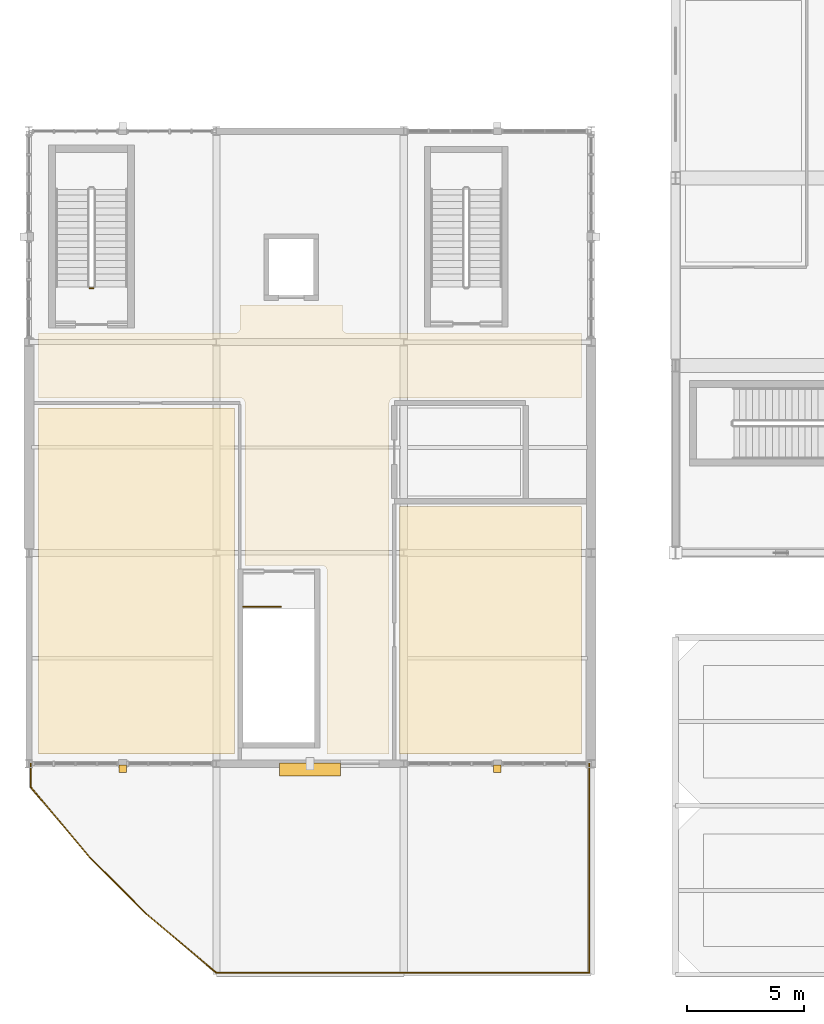
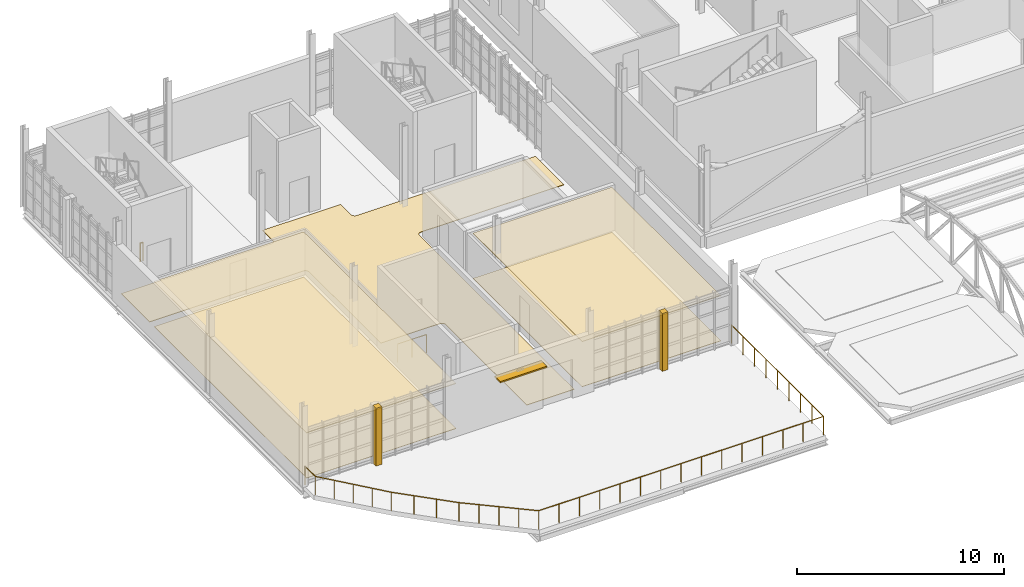
# One storey, part 120 of 128: 7 coverings, 3 railings, 1 shading device.
"""IFC4 building model written with IfcOpenShell, lengths in metres."""

from ifc_helpers import new_model, si_unit, direction, frame, origin, origin_2d, place, context, subcontext, project, spatial, polyline, rectangle, circle, outline, extrude, material, layer, layer_set, type_object, element, save


model = new_model("IFC4")

# Units and contexts
model_context = context("Model", 3, precision=1e-05, world=origin(), true_north=direction((0.0, 1.0)))
body_context = subcontext(model_context, "Body", "Model", "MODEL_VIEW")
ifc_project = project(units=[si_unit("LENGTHUNIT", "METRE"), si_unit("AREAUNIT", "SQUARE_METRE"), si_unit("VOLUMEUNIT", "CUBIC_METRE"), si_unit("PLANEANGLEUNIT", "RADIAN"), si_unit("MASSUNIT", "GRAM", prefix="KILO")], contexts=[model_context])

# Site, building, storey
site_placement = place(None, origin())
site = spatial("IfcSite", under=ifc_project, at=site_placement, CompositionType="ELEMENT")
building_placement = place(site_placement, origin())
building = spatial("IfcBuilding", under=site, at=building_placement, Name="Serraforn Aerial Cableway Station", CompositionType="ELEMENT")
storey_placement = place(building_placement, frame((0.0, 0.0, 9.0)))
storey = spatial("IfcBuildingStorey", under=building, at=storey_placement, Name="L02", CompositionType="ELEMENT", Elevation=9.0)

# Coverings
ifc_material_1 = material(Name="Fluted patinated bronze Art Deco pilaster cladding")
ifc_layer_1 = layer(ifc_material_1, 0.034912109375)
ifc_layer_set_1 = layer_set([ifc_layer_1], Name="Fluted patinated bronze Art Deco pilaster cladding")
covering_type_1 = type_object("IfcCoveringType", Name="COV-CLAD-BRZ", PredefinedType="CLADDING", material=ifc_layer_set_1)
covering_1_placement = place(storey_placement, origin())
element("IfcCovering", 1, at=covering_1_placement, inside=storey, type_object=covering_type_1, Name="Art Deco Bronze Pilaster Cladding W-L02-S1", PredefinedType="CLADDING", context=body_context, shape_type="SweptSolid", body=[
    extrude(outline(polyline([(3.840087890625, 8.6201171875), (4.159912109375, 8.6201171875), (4.159912109375, 8.93994140625), (3.840087890625, 8.93994140625), (3.840087890625, 8.6201171875)])), origin(), (0.0, 0.0, 1.0), 3.419921875),
])
covering_2_placement = place(storey_placement, origin())
element("IfcCovering", 2, at=covering_2_placement, inside=storey, type_object=covering_type_1, Name="Art Deco Bronze Pilaster Cladding W-L02-S3", PredefinedType="CLADDING", context=body_context, shape_type="SweptSolid", body=[
    extrude(outline(polyline([(19.840087890625, 8.6201171875), (20.159912109375, 8.6201171875), (20.159912109375, 8.93994140625), (19.840087890625, 8.93994140625), (19.840087890625, 8.6201171875)])), origin(), (0.0, 0.0, 1.0), 3.419921875),
])
ifc_material_2 = material(Name="Slatted Catalan chestnut acoustic ceiling")
ifc_layer_2 = layer(ifc_material_2, 0.034912109375)
ifc_layer_set_2 = layer_set([ifc_layer_2], Name="Slatted Catalan chestnut acoustic ceiling")
covering_type_2 = type_object("IfcCoveringType", Name="COV-CLG-WD", PredefinedType="CEILING", material=ifc_layer_set_2)
covering_3_placement = place(storey_placement, frame((0.0, 0.0, 2.659912109375)))
element("IfcCovering", 3, at=covering_3_placement, inside=storey, type_object=covering_type_2, Name="Suspended Ceiling L02-01", PredefinedType="CEILING", context=body_context, shape_type="SweptSolid", body=[
    extrude(outline(polyline([(8.780029296875, 9.419921875), (0.419921875, 9.419921875), (0.419921875, 24.179931640625), (8.780029296875, 24.179931640625), (8.780029296875, 9.419921875)])), origin(), (0.0, 0.0, 1.0), 0.03515625),
])
covering_4_placement = place(storey_placement, frame((0.0, 0.0, 2.659912109375)))
element("IfcCovering", 4, at=covering_4_placement, inside=storey, type_object=covering_type_2, Name="Suspended Ceiling L02-02", PredefinedType="CEILING", context=body_context, shape_type="SweptSolid", body=[
    extrude(outline(polyline([(15.820068359375, 9.419921875), (15.820068359375, 19.97998046875), (23.580078125, 19.97998046875), (23.580078125, 9.419921875), (15.820068359375, 9.419921875)])), origin(), (0.0, 0.0, 1.0), 0.03515625),
])
ifc_material_3 = material(Name="Honed Montjuic limestone flooring", Category="masonry")
ifc_layer_3 = layer(ifc_material_3, 0.030029296875)
ifc_layer_set_3 = layer_set([ifc_layer_3], Name="Honed Montjuic limestone flooring")
covering_type_3 = type_object("IfcCoveringType", Name="COV-FLR-STN", PredefinedType="FLOORING", material=ifc_layer_set_3)
covering_5_placement = place(storey_placement, origin())
element("IfcCovering", 5, at=covering_5_placement, inside=storey, type_object=covering_type_3, Name="Flooring L02-03", PredefinedType="FLOORING", context=body_context, shape_type="SweptSolid", body=[
    extrude(outline(polyline([(12.719970703125, 9.419921875), (12.719970703125, 17.25), (12.718994140625, 17.271484375), (12.7158203125, 17.29296875), (12.71044921875, 17.31396484375), (12.703369140625, 17.334228515625), (12.694091796875, 17.353759765625), (12.682861328125, 17.372314453125), (12.670166015625, 17.3896484375), (12.655517578125, 17.405517578125), (12.6396484375, 17.420166015625), (12.622314453125, 17.432861328125), (12.603759765625, 17.444091796875), (12.584228515625, 17.453369140625), (12.56396484375, 17.46044921875), (12.54296875, 17.4658203125), (12.521484375, 17.468994140625), (12.5, 17.469970703125), (9.219970703125, 17.469970703125), (9.219970703125, 24.39990234375), (9.218994140625, 24.421630859375), (9.2158203125, 24.44287109375), (9.21044921875, 24.4638671875), (9.203369140625, 24.484130859375), (9.194091796875, 24.503662109375), (9.182861328125, 24.522216796875), (9.170166015625, 24.53955078125), (9.155517578125, 24.5556640625), (9.1396484375, 24.570068359375), (9.122314453125, 24.5830078125), (9.103759765625, 24.593994140625), (9.084228515625, 24.603271484375), (9.06396484375, 24.610595703125), (9.04296875, 24.61572265625), (9.021484375, 24.618896484375), (9.0, 24.6201171875), (0.419921875, 24.6201171875), (0.419921875, 27.3798828125), (8.800048828125, 27.3798828125), (8.821533203125, 27.381103515625), (8.843017578125, 27.38427734375), (8.864013671875, 27.389404296875), (8.88427734375, 27.396728515625), (8.90380859375, 27.406005859375), (8.922119140625, 27.4169921875), (8.939697265625, 27.429931640625), (8.95556640625, 27.4443359375), (8.97021484375, 27.46044921875), (8.98291015625, 27.477783203125), (8.993896484375, 27.496337890625), (9.00341796875, 27.515869140625), (9.010498046875, 27.5361328125), (9.015869140625, 27.55712890625), (9.018798828125, 27.578369140625), (9.02001953125, 27.60009765625), (9.02001953125, 28.580078125), (13.3798828125, 28.580078125), (13.3798828125, 27.60009765625), (13.381103515625, 27.578369140625), (13.38427734375, 27.55712890625), (13.389404296875, 27.5361328125), (13.396728515625, 27.515869140625), (13.406005859375, 27.496337890625), (13.4169921875, 27.477783203125), (13.429931640625, 27.46044921875), (13.4443359375, 27.4443359375), (13.46044921875, 27.429931640625), (13.477783203125, 27.4169921875), (13.496337890625, 27.406005859375), (13.515869140625, 27.396728515625), (13.5361328125, 27.389404296875), (13.55712890625, 27.38427734375), (13.578369140625, 27.381103515625), (13.60009765625, 27.3798828125), (23.580078125, 27.3798828125), (23.580078125, 24.6201171875), (15.60009765625, 24.6201171875), (15.578369140625, 24.618896484375), (15.55712890625, 24.61572265625), (15.5361328125, 24.610595703125), (15.515869140625, 24.603271484375), (15.496337890625, 24.593994140625), (15.477783203125, 24.5830078125), (15.46044921875, 24.570068359375), (15.4443359375, 24.5556640625), (15.429931640625, 24.53955078125), (15.4169921875, 24.522216796875), (15.406005859375, 24.503662109375), (15.396728515625, 24.484130859375), (15.389404296875, 24.4638671875), (15.38427734375, 24.44287109375), (15.381103515625, 24.421630859375), (15.3798828125, 24.39990234375), (15.3798828125, 9.419921875), (12.719970703125, 9.419921875)])), origin(), (0.0, 0.0, 1.0), 0.030029296875),
])
ifc_material_4 = material(Name="Catalan geometric terrazzo tile flooring")
ifc_layer_4 = layer(ifc_material_4, 0.02490234375)
ifc_layer_set_4 = layer_set([ifc_layer_4], Name="Catalan geometric terrazzo tile flooring")
covering_type_4 = type_object("IfcCoveringType", Name="COV-FLR-TER", PredefinedType="FLOORING", material=ifc_layer_set_4)
covering_6_placement = place(storey_placement, origin())
element("IfcCovering", 6, at=covering_6_placement, inside=storey, type_object=covering_type_4, Name="Flooring L02-02", PredefinedType="FLOORING", context=body_context, shape_type="SweptSolid", body=[
    extrude(outline(polyline([(15.820068359375, 9.419921875), (15.820068359375, 19.97998046875), (23.580078125, 19.97998046875), (23.580078125, 9.419921875), (15.820068359375, 9.419921875)])), origin(), (0.0, 0.0, 1.0), 0.02490234375),
])
ifc_material_5 = material(Name="Catalan oak parquet flooring")
ifc_layer_5 = layer(ifc_material_5, 0.02197265625)
ifc_layer_set_5 = layer_set([ifc_layer_5], Name="Catalan oak parquet flooring")
covering_type_5 = type_object("IfcCoveringType", Name="COV-FLR-WD", PredefinedType="FLOORING", material=ifc_layer_set_5)
covering_7_placement = place(storey_placement, origin())
element("IfcCovering", 7, at=covering_7_placement, inside=storey, type_object=covering_type_5, Name="Flooring L02-01", PredefinedType="FLOORING", context=body_context, shape_type="SweptSolid", body=[
    extrude(outline(polyline([(8.780029296875, 9.419921875), (0.419921875, 9.419921875), (0.419921875, 24.179931640625), (8.780029296875, 24.179931640625), (8.780029296875, 9.419921875)])), origin(), (0.0, 0.0, 1.0), 0.02197265625),
])

# Railings
ifc_material_6 = material(Name="Patinated bronze stair guardrail")
ifc_layer_6 = layer(ifc_material_6, 0.050048828125)
ifc_layer_set_6 = layer_set([ifc_layer_6], Name="Patinated bronze stair guardrail")
railing_type_1 = type_object("IfcRailingType", Name="RL-STR-GRD", PredefinedType="GUARDRAIL", material=ifc_layer_set_6)
railing_1_placement = place(storey_placement, frame((2.75, 29.300048828125, 0.0)))
element("IfcRailing", 8, at=railing_1_placement, inside=storey, type_object=railing_type_1, Name="L02 ST-01 stair guard 4", PredefinedType="GUARDRAIL", context=body_context, shape_type="SweptSolid", body=[
    extrude(circle(Radius=0.02392578125, at=origin_2d()), frame((0.0, 0.0, 1.076171875), z_axis=(-1.0, 0.0, 0.0), x_axis=(0.0, -1.0, 0.0)), (0.0, 0.0, 1.0), 0.159912109375),
    extrude(circle(Radius=0.02099609375, at=origin_2d()), origin(), (0.0, 0.0, 1.0), 1.052001953125),
    extrude(circle(Radius=0.02099609375, at=origin_2d()), frame((-0.159912109375, 0.0, 0.0)), (0.0, 0.0, 1.0), 1.052001953125),
])
railing_2_placement = place(storey_placement, frame((9.139892578125, 15.699951171875, 0.0)))
element("IfcRailing", 9, at=railing_2_placement, inside=storey, type_object=railing_type_1, Name="L02 ST-12 top well guard 1", PredefinedType="GUARDRAIL", context=body_context, shape_type="SweptSolid", body=[
    extrude(circle(Radius=0.02392578125, at=origin_2d()), frame((0.0, 0.0, 1.076171875), z_axis=(1.0, 0.0, 0.0), x_axis=(0.0, 1.0, 0.0)), (0.0, 0.0, 1.0), 1.610107421875),
    extrude(circle(Radius=0.02099609375, at=origin_2d()), origin(), (0.0, 0.0, 1.0), 1.052001953125),
    extrude(circle(Radius=0.02099609375, at=origin_2d()), frame((0.80517578125, 0.0, 0.0)), (0.0, 0.0, 1.0), 1.052001953125),
    extrude(circle(Radius=0.02099609375, at=origin_2d()), frame((1.610107421875, 0.0, 0.0)), (0.0, 0.0, 1.0), 1.052001953125),
])
ifc_material_7 = material(Name="Patinated bronze chevron Art Deco balustrade")
ifc_layer_7 = layer(ifc_material_7, 0.06005859375)
ifc_layer_set_7 = layer_set([ifc_layer_7], Name="Patinated bronze chevron Art Deco balustrade")
railing_type_2 = type_object("IfcRailingType", Name="RL-TER-GUARD", PredefinedType="BALUSTRADE", material=ifc_layer_set_7)
railing_3_placement = place(storey_placement, frame((0.080078125, 9.0, 0.0)))
element("IfcRailing", 10, at=railing_3_placement, inside=storey, type_object=railing_type_2, Name="Balustrade Guard GD-TER-WL02-W", PredefinedType="BALUSTRADE", context=body_context, shape_type="SweptSolid", body=[
    extrude(circle(Radius=0.02392578125, at=origin_2d()), frame((0.0, 0.0, 1.09619140625), z_axis=(0.0, -1.0, 0.0), x_axis=(1.0, 0.0, 0.0)), (0.0, 0.0, 1.0), 1.0),
    extrude(circle(Radius=0.02392578125, at=origin_2d()), frame((0.0, -1.0, 1.09619140625), z_axis=(0.643195009168, -0.765702409674, 0.0), x_axis=(0.765702409674, 0.643195009168, 0.0)), (0.0, 0.0, 1.0), 3.91796875),
    extrude(circle(Radius=0.02392578125, at=origin_2d()), frame((2.52001953125, -4.0, 1.09619140625), z_axis=(0.707106781187, -0.707106781187, 0.0), x_axis=(0.707106781187, 0.707106781187, 0.0)), (0.0, 0.0, 1.0), 3.39404296875),
    extrude(circle(Radius=0.02392578125, at=origin_2d()), frame((4.919921875, -6.39990234375, 1.09619140625), z_axis=(0.765702409674, -0.643195009168, 0.0), x_axis=(0.643195009168, 0.765702409674, 0.0)), (0.0, 0.0, 1.0), 3.91796875),
    extrude(circle(Radius=0.02392578125, at=origin_2d()), frame((7.919921875, -8.919921875, 1.09619140625), z_axis=(1.0, 0.0, 0.0), x_axis=(0.0, 1.0, 0.0)), (0.0, 0.0, 1.0), 15.919921875),
    extrude(circle(Radius=0.02392578125, at=origin_2d()), frame((23.83984375, -8.919921875, 1.09619140625), z_axis=(0.0, 1.0, 0.0), x_axis=(-1.0, 0.0, 0.0)), (0.0, 0.0, 1.0), 8.919921875),
    extrude(circle(Radius=0.02099609375, at=origin_2d()), origin(), (0.0, 0.0, 1.0), 1.072021484375),
    extrude(circle(Radius=0.02099609375, at=origin_2d()), frame((0.0, -1.0, 0.0)), (0.0, 0.0, 1.0), 1.072021484375),
    extrude(circle(Radius=0.02099609375, at=origin_2d()), frame((0.6298828125, -1.75, 0.0)), (0.0, 0.0, 1.0), 1.072021484375),
    extrude(circle(Radius=0.02099609375, at=origin_2d()), frame((1.260009765625, -2.5, 0.0)), (0.0, 0.0, 1.0), 1.072021484375),
    extrude(circle(Radius=0.02099609375, at=origin_2d()), frame((1.89013671875, -3.25, 0.0)), (0.0, 0.0, 1.0), 1.072021484375),
    extrude(circle(Radius=0.02099609375, at=origin_2d()), frame((2.52001953125, -4.0, 0.0)), (0.0, 0.0, 1.0), 1.072021484375),
    extrude(circle(Radius=0.02099609375, at=origin_2d()), frame((3.320068359375, -4.800048828125, 0.0)), (0.0, 0.0, 1.0), 1.072021484375),
    extrude(circle(Radius=0.02099609375, at=origin_2d()), frame((4.119873046875, -5.599853515625, 0.0)), (0.0, 0.0, 1.0), 1.072021484375),
    extrude(circle(Radius=0.02099609375, at=origin_2d()), frame((4.919921875, -6.39990234375, 0.0)), (0.0, 0.0, 1.0), 1.072021484375),
    extrude(circle(Radius=0.02099609375, at=origin_2d()), frame((5.669921875, -7.02978515625, 0.0)), (0.0, 0.0, 1.0), 1.072021484375),
    extrude(circle(Radius=0.02099609375, at=origin_2d()), frame((6.419921875, -7.659912109375, 0.0)), (0.0, 0.0, 1.0), 1.072021484375),
    extrude(circle(Radius=0.02099609375, at=origin_2d()), frame((7.169921875, -8.2900390625, 0.0)), (0.0, 0.0, 1.0), 1.072021484375),
    extrude(circle(Radius=0.02099609375, at=origin_2d()), frame((7.919921875, -8.919921875, 0.0)), (0.0, 0.0, 1.0), 1.072021484375),
    extrude(circle(Radius=0.02099609375, at=origin_2d()), frame((9.05712890625, -8.919921875, 0.0)), (0.0, 0.0, 1.0), 1.072021484375),
    extrude(circle(Radius=0.02099609375, at=origin_2d()), frame((10.194091796875, -8.919921875, 0.0)), (0.0, 0.0, 1.0), 1.072021484375),
    extrude(circle(Radius=0.02099609375, at=origin_2d()), frame((11.331298828125, -8.919921875, 0.0)), (0.0, 0.0, 1.0), 1.072021484375),
    extrude(circle(Radius=0.02099609375, at=origin_2d()), frame((12.468505859375, -8.919921875, 0.0)), (0.0, 0.0, 1.0), 1.072021484375),
    extrude(circle(Radius=0.02099609375, at=origin_2d()), frame((13.605712890625, -8.919921875, 0.0)), (0.0, 0.0, 1.0), 1.072021484375),
    extrude(circle(Radius=0.02099609375, at=origin_2d()), frame((14.74267578125, -8.919921875, 0.0)), (0.0, 0.0, 1.0), 1.072021484375),
    extrude(circle(Radius=0.02099609375, at=origin_2d()), frame((15.8798828125, -8.919921875, 0.0)), (0.0, 0.0, 1.0), 1.072021484375),
    extrude(circle(Radius=0.02099609375, at=origin_2d()), frame((17.01708984375, -8.919921875, 0.0)), (0.0, 0.0, 1.0), 1.072021484375),
    extrude(circle(Radius=0.02099609375, at=origin_2d()), frame((18.154052734375, -8.919921875, 0.0)), (0.0, 0.0, 1.0), 1.072021484375),
    extrude(circle(Radius=0.02099609375, at=origin_2d()), frame((19.291259765625, -8.919921875, 0.0)), (0.0, 0.0, 1.0), 1.072021484375),
    extrude(circle(Radius=0.02099609375, at=origin_2d()), frame((20.428466796875, -8.919921875, 0.0)), (0.0, 0.0, 1.0), 1.072021484375),
    extrude(circle(Radius=0.02099609375, at=origin_2d()), frame((21.565673828125, -8.919921875, 0.0)), (0.0, 0.0, 1.0), 1.072021484375),
    extrude(circle(Radius=0.02099609375, at=origin_2d()), frame((22.70263671875, -8.919921875, 0.0)), (0.0, 0.0, 1.0), 1.072021484375),
    extrude(circle(Radius=0.02099609375, at=origin_2d()), frame((23.83984375, -8.919921875, 0.0)), (0.0, 0.0, 1.0), 1.072021484375),
    extrude(circle(Radius=0.02099609375, at=origin_2d()), frame((23.83984375, -7.804931640625, 0.0)), (0.0, 0.0, 1.0), 1.072021484375),
    extrude(circle(Radius=0.02099609375, at=origin_2d()), frame((23.83984375, -6.68994140625, 0.0)), (0.0, 0.0, 1.0), 1.072021484375),
    extrude(circle(Radius=0.02099609375, at=origin_2d()), frame((23.83984375, -5.574951171875, 0.0)), (0.0, 0.0, 1.0), 1.072021484375),
    extrude(circle(Radius=0.02099609375, at=origin_2d()), frame((23.83984375, -4.4599609375, 0.0)), (0.0, 0.0, 1.0), 1.072021484375),
    extrude(circle(Radius=0.02099609375, at=origin_2d()), frame((23.83984375, -3.344970703125, 0.0)), (0.0, 0.0, 1.0), 1.072021484375),
    extrude(circle(Radius=0.02099609375, at=origin_2d()), frame((23.83984375, -2.22998046875, 0.0)), (0.0, 0.0, 1.0), 1.072021484375),
    extrude(circle(Radius=0.02099609375, at=origin_2d()), frame((23.83984375, -1.114990234375, 0.0)), (0.0, 0.0, 1.0), 1.072021484375),
    extrude(circle(Radius=0.02099609375, at=origin_2d()), frame((23.83984375, 0.0, 0.0)), (0.0, 0.0, 1.0), 1.072021484375),
])

# Shading device
ifc_material_8 = material(Name="Anodised bronze solar brise-soleil louvre")
ifc_layer_8 = layer(ifc_material_8, 0.080078125)
ifc_layer_set_8 = layer_set([ifc_layer_8], Name="Anodised bronze solar brise-soleil louvre")
shading_device_type = type_object("IfcShadingDeviceType", Name="SHD-LOUVRE", PredefinedType="USERDEFINED", material=ifc_layer_set_8)
shading_device_placement = place(storey_placement, frame((12.0, 8.75, 2.60986328125), z_axis=(0.0, 0.0, 1.0), x_axis=(1.0, 0.0, 0.0)))
element("IfcShadingDevice", 11, at=shading_device_placement, inside=storey, type_object=shading_device_type, Name="Art Deco Bronze Brise-Soleil 06", ObjectType="SUNSHADE", PredefinedType="USERDEFINED", context=body_context, shape_type="SweptSolid", body=[
    extrude(rectangle(XDim=2.60009765625, YDim=0.550048828125, at=origin_2d()), origin(), (0.0, 0.0, 1.0), 0.080078125),
])

save(model, "model.ifc")
